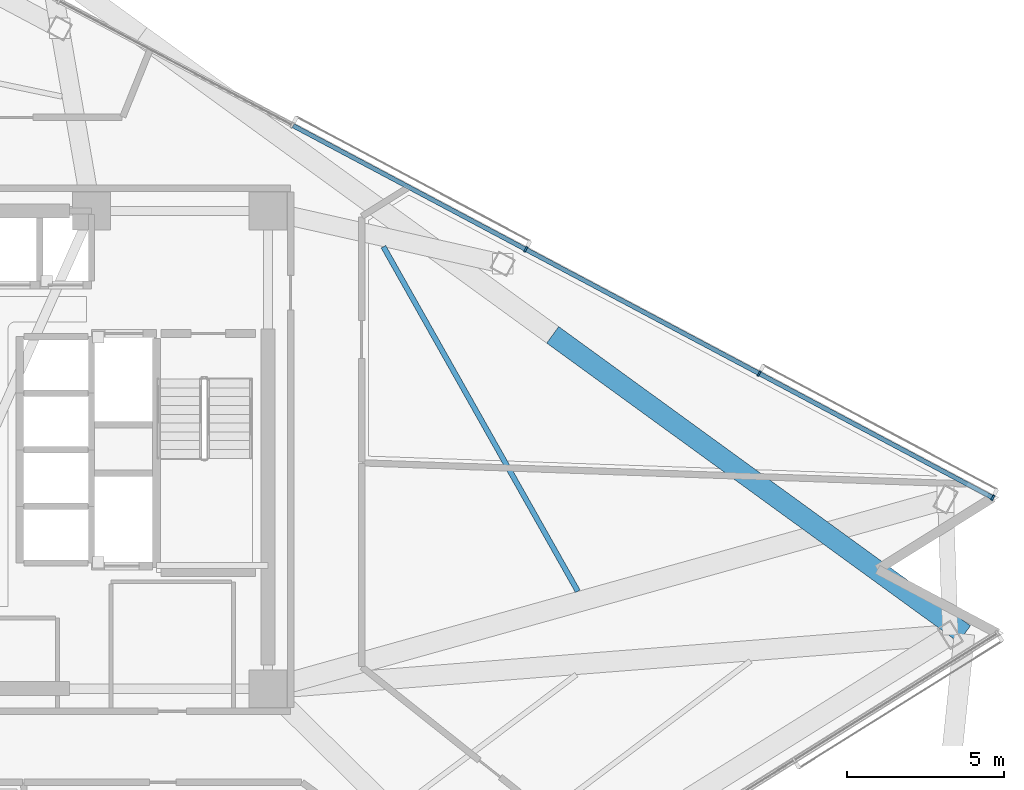
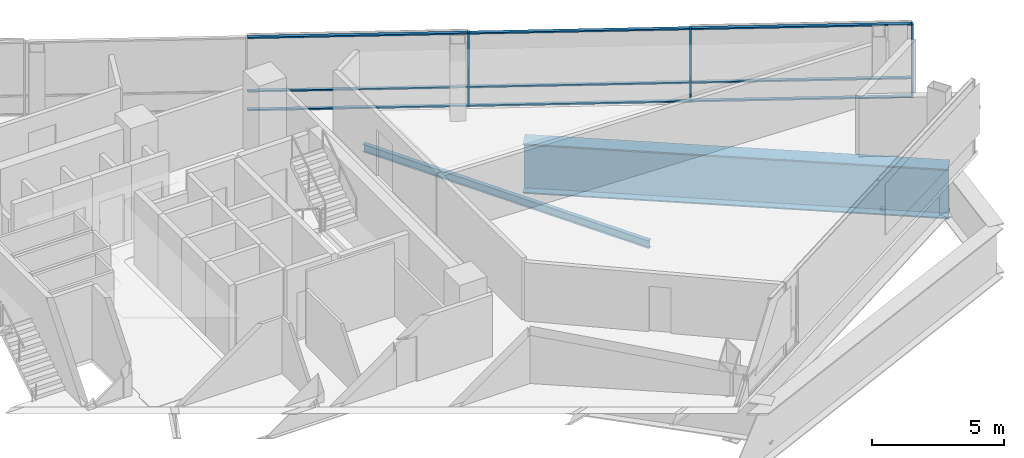
# One storey, part 10 of 20: 12 members, 2 beams, 1 element without a shape of its own.
"""IFC4 building model written with IfcOpenShell, lengths in metres."""

from ifc_helpers import new_model, si_unit, direction, frame, origin, origin_2d, place, context, subcontext, project, spatial, rectangle, i_section, extrude, material, layer, layer_set, material_profile, profile_set, type_object, element, aggregate, save


model = new_model("IFC4")

# Units and contexts
model_context = context("Model", 3, precision=1e-05, world=origin(), true_north=direction((0.0, 1.0)))
body_context = subcontext(model_context, "Body", "Model", "MODEL_VIEW")
ifc_project = project(units=[si_unit("LENGTHUNIT", "METRE"), si_unit("AREAUNIT", "SQUARE_METRE"), si_unit("VOLUMEUNIT", "CUBIC_METRE"), si_unit("PLANEANGLEUNIT", "RADIAN"), si_unit("MASSUNIT", "GRAM", prefix="KILO")], contexts=[model_context])

# Site, building, storey
site_placement = place(None, origin())
site = spatial("IfcSite", under=ifc_project, at=site_placement, CompositionType="ELEMENT")
building_placement = place(site_placement, origin())
building = spatial("IfcBuilding", under=site, at=building_placement, Name="Tharavind Bronze Gate", CompositionType="ELEMENT")
storey_placement = place(building_placement, frame((0.0, 0.0, 138.800048828125)))
storey = spatial("IfcBuildingStorey", under=building, at=storey_placement, Name="L35", CompositionType="ELEMENT", Elevation=138.800048828125)

# Curtain wall, members
ifc_material_1 = material(Name="Anodised Bronze Aluminium", Category="aluminium")
ifc_layer = layer(ifc_material_1, 0.219970703125)
ifc_layer_set = layer_set([ifc_layer], Name="Anodised Bronze Aluminium")
curtain_wall_type = type_object("IfcCurtainWallType", Name="UNITISED CURTAIN WALL MID OFFICE", PredefinedType="USERDEFINED", material=ifc_layer_set)
curtain_wall_placement = place(storey_placement, origin())
curtain_wall = element("IfcCurtainWall", 1, at=curtain_wall_placement, inside=storey, type_object=curtain_wall_type, Name="L35 unitised curtain wall mid office CW-L35-S3", ObjectType="UNITISED CURTAIN WALL", PredefinedType="USERDEFINED")
member_type_1 = type_object("IfcMemberType", Name="CURTAIN WALL BRONZE MULLION 65X180", PredefinedType="MULLION", material=ifc_material_1)
member_1_placement = place(storey_placement, frame((31.9638671875, -1.5224609375, 0.0), z_axis=(0.0, 0.0, 1.0), x_axis=(-0.882947592859, 0.469471562786, 0.0)))
member_1 = element("IfcMember", 2, at=member_1_placement, type_object=member_type_1, Name="CW-L35-S3 mullion 1", PredefinedType="MULLION", context=body_context, shape_type="SweptSolid", body=[
    extrude(rectangle(XDim=0.06494140625, YDim=0.179931640625, at=origin_2d()), origin(), (0.0, 0.0, 1.0), 3.409912109375),
])
member_2_placement = place(storey_placement, frame((24.5341796875, 2.427978515625, 0.0), z_axis=(0.0, 0.0, 1.0), x_axis=(-0.882947592859, 0.469471562786, 0.0)))
member_2 = element("IfcMember", 3, at=member_2_placement, type_object=member_type_1, Name="CW-L35-S3 mullion 2", PredefinedType="MULLION", context=body_context, shape_type="SweptSolid", body=[
    extrude(rectangle(XDim=0.06494140625, YDim=0.179931640625, at=origin_2d()), origin(), (0.0, 0.0, 1.0), 3.409912109375),
])
member_3_placement = place(storey_placement, frame((17.1044921875, 6.37841796875, 0.0), z_axis=(0.0, 0.0, 1.0), x_axis=(-0.882947592859, 0.469471562786, 0.0)))
member_3 = element("IfcMember", 4, at=member_3_placement, type_object=member_type_1, Name="CW-L35-S3 mullion 3", PredefinedType="MULLION", context=body_context, shape_type="SweptSolid", body=[
    extrude(rectangle(XDim=0.06494140625, YDim=0.179931640625, at=origin_2d()), origin(), (0.0, 0.0, 1.0), 3.409912109375),
])
member_type_2 = type_object("IfcMemberType", Name="CURTAIN WALL BRONZE TRANSOM 65X140", PredefinedType="USERDEFINED", material=ifc_material_1)
member_4_placement = place(storey_placement, frame((28.2490234375, 0.45263671875, 0.0), z_axis=(0.0, 0.0, 1.0), x_axis=(-0.882947592859, 0.469471562786, 0.0)))
member_4 = element("IfcMember", 5, at=member_4_placement, type_object=member_type_2, Name="CW-L35-S3 transom TB1", ObjectType="TRANSOM", PredefinedType="USERDEFINED", context=body_context, shape_type="SweptSolid", body=[
    extrude(rectangle(XDim=8.361572265625, YDim=0.139892578125, at=origin_2d()), origin(), (0.0, 0.0, 1.0), 0.06494140625),
])
member_5_placement = place(storey_placement, frame((28.2490234375, 0.45263671875, 0.867431640625), z_axis=(0.0, 0.0, 1.0), x_axis=(-0.882947592859, 0.469471562786, 0.0)))
member_5 = element("IfcMember", 6, at=member_5_placement, type_object=member_type_2, Name="CW-L35-S3 transom TS1", ObjectType="TRANSOM", PredefinedType="USERDEFINED", context=body_context, shape_type="SweptSolid", body=[
    extrude(rectangle(XDim=8.361572265625, YDim=0.139892578125, at=origin_2d()), origin(), (0.0, 0.0, 1.0), 0.06494140625),
])
member_6_placement = place(storey_placement, frame((28.2490234375, 0.45263671875, 3.344970703125), z_axis=(0.0, 0.0, 1.0), x_axis=(-0.882947592859, 0.469471562786, 0.0)))
member_6 = element("IfcMember", 7, at=member_6_placement, type_object=member_type_2, Name="CW-L35-S3 transom TT1", ObjectType="TRANSOM", PredefinedType="USERDEFINED", context=body_context, shape_type="SweptSolid", body=[
    extrude(rectangle(XDim=8.361572265625, YDim=0.139892578125, at=origin_2d()), origin(), (0.0, 0.0, 1.0), 0.06494140625),
])
member_7_placement = place(storey_placement, frame((20.8193359375, 4.403076171875, 0.0), z_axis=(0.0, 0.0, 1.0), x_axis=(-0.882947592859, 0.469471562786, 0.0)))
member_7 = element("IfcMember", 8, at=member_7_placement, type_object=member_type_2, Name="CW-L35-S3 transom TB2", ObjectType="TRANSOM", PredefinedType="USERDEFINED", context=body_context, shape_type="SweptSolid", body=[
    extrude(rectangle(XDim=8.361572265625, YDim=0.139892578125, at=origin_2d()), origin(), (0.0, 0.0, 1.0), 0.06494140625),
])
member_8_placement = place(storey_placement, frame((20.8193359375, 4.403076171875, 0.867431640625), z_axis=(0.0, 0.0, 1.0), x_axis=(-0.882947592859, 0.469471562786, 0.0)))
member_8 = element("IfcMember", 9, at=member_8_placement, type_object=member_type_2, Name="CW-L35-S3 transom TS2", ObjectType="TRANSOM", PredefinedType="USERDEFINED", context=body_context, shape_type="SweptSolid", body=[
    extrude(rectangle(XDim=8.361572265625, YDim=0.139892578125, at=origin_2d()), origin(), (0.0, 0.0, 1.0), 0.06494140625),
])
member_9_placement = place(storey_placement, frame((20.8193359375, 4.403076171875, 3.344970703125), z_axis=(0.0, 0.0, 1.0), x_axis=(-0.882947592859, 0.469471562786, 0.0)))
member_9 = element("IfcMember", 10, at=member_9_placement, type_object=member_type_2, Name="CW-L35-S3 transom TT2", ObjectType="TRANSOM", PredefinedType="USERDEFINED", context=body_context, shape_type="SweptSolid", body=[
    extrude(rectangle(XDim=8.361572265625, YDim=0.139892578125, at=origin_2d()), origin(), (0.0, 0.0, 1.0), 0.06494140625),
])
member_10_placement = place(storey_placement, frame((13.389892578125, 8.353515625, 0.0), z_axis=(0.0, 0.0, 1.0), x_axis=(-0.882947592859, 0.469471562786, 0.0)))
member_10 = element("IfcMember", 11, at=member_10_placement, type_object=member_type_2, Name="CW-L35-S3 transom TB3", ObjectType="TRANSOM", PredefinedType="USERDEFINED", context=body_context, shape_type="SweptSolid", body=[
    extrude(rectangle(XDim=8.361572265625, YDim=0.139892578125, at=origin_2d()), origin(), (0.0, 0.0, 1.0), 0.06494140625),
])
member_11_placement = place(storey_placement, frame((13.389892578125, 8.353515625, 0.867431640625), z_axis=(0.0, 0.0, 1.0), x_axis=(-0.882947592859, 0.469471562786, 0.0)))
member_11 = element("IfcMember", 12, at=member_11_placement, type_object=member_type_2, Name="CW-L35-S3 transom TS3", ObjectType="TRANSOM", PredefinedType="USERDEFINED", context=body_context, shape_type="SweptSolid", body=[
    extrude(rectangle(XDim=8.361572265625, YDim=0.139892578125, at=origin_2d()), origin(), (0.0, 0.0, 1.0), 0.06494140625),
])
member_12_placement = place(storey_placement, frame((13.389892578125, 8.353515625, 3.344970703125), z_axis=(0.0, 0.0, 1.0), x_axis=(-0.882947592859, 0.469471562786, 0.0)))
member_12 = element("IfcMember", 13, at=member_12_placement, type_object=member_type_2, Name="CW-L35-S3 transom TT3", ObjectType="TRANSOM", PredefinedType="USERDEFINED", context=body_context, shape_type="SweptSolid", body=[
    extrude(rectangle(XDim=8.361572265625, YDim=0.139892578125, at=origin_2d()), origin(), (0.0, 0.0, 1.0), 0.06494140625),
])
aggregate(curtain_wall, [member_1, member_2, member_3, member_4, member_5, member_6, member_7, member_8, member_9, member_10, member_11, member_12])

# Beams
ifc_material_2 = material(Name="Steel S355", Category="steel")
ifc_material_profile_1 = material_profile(ifc_material_2, i_section(OverallWidth=0.169921875, OverallDepth=0.360107421875, WebThickness=0.008056640625, FlangeThickness=0.0126953125, at=origin_2d()), Name="IPE360")
ifc_profile_set_1 = profile_set([ifc_material_profile_1], Name="Steel S355")
beam_type_1 = type_object("IfcBeamType", Name="SECONDARY FLOOR JOIST IPE360", PredefinedType="JOIST", material=ifc_profile_set_1)
beam_1_placement = place(storey_placement, frame((18.76123046875, -4.50341796875, -0.3701171875), z_axis=(-0.491374742297, 0.870948254854, 0.0), x_axis=(-0.870948254854, -0.491374742297, 0.0)))
element("IfcBeam", 14, at=beam_1_placement, inside=storey, type_object=beam_type_1, Name="L35 secondary floor joist ipe360 BM-L35-JSTA09", PredefinedType="JOIST", context=body_context, shape_type="SweptSolid", body=[
    extrude(i_section(OverallWidth=0.169921875, OverallDepth=0.360107421875, WebThickness=0.008056640625, FlangeThickness=0.0126953125, at=origin_2d()), origin(), (0.0, 0.0, 1.0), 12.59130859375),
])
ifc_material_3 = material(Name="Steel S460", Category="steel")
ifc_material_profile_2 = material_profile(ifc_material_3, i_section(OverallWidth=0.64990234375, OverallDepth=2.300048828125, WebThickness=0.035888671875, FlangeThickness=0.05810546875, at=origin_2d()), Name="PG2300X650")
ifc_profile_set_2 = profile_set([ifc_material_profile_2], Name="Steel S460")
beam_type_2 = type_object("IfcBeamType", Name="TRANSFER GIRDER 2300X650", PredefinedType="USERDEFINED", material=ifc_profile_set_2)
beam_2_placement = place(storey_placement, frame((31.06591796875, -5.863037109375, -1.340087890625), z_axis=(-0.809014294341, 0.587788968553, 0.0), x_axis=(-0.587788968553, -0.809014294341, 0.0)))
element("IfcBeam", 15, at=beam_2_placement, inside=storey, type_object=beam_type_2, Name="L35 transfer girder 2300x650 BM-L35-LRG09", ObjectType="TRANSFER GIRDER", PredefinedType="USERDEFINED", context=body_context, shape_type="SweptSolid", body=[
    extrude(i_section(OverallWidth=0.64990234375, OverallDepth=2.300048828125, WebThickness=0.035888671875, FlangeThickness=0.05810546875, at=origin_2d()), origin(), (0.0, 0.0, 1.0), 16.198486328125),
])

save(model, "model.ifc")
